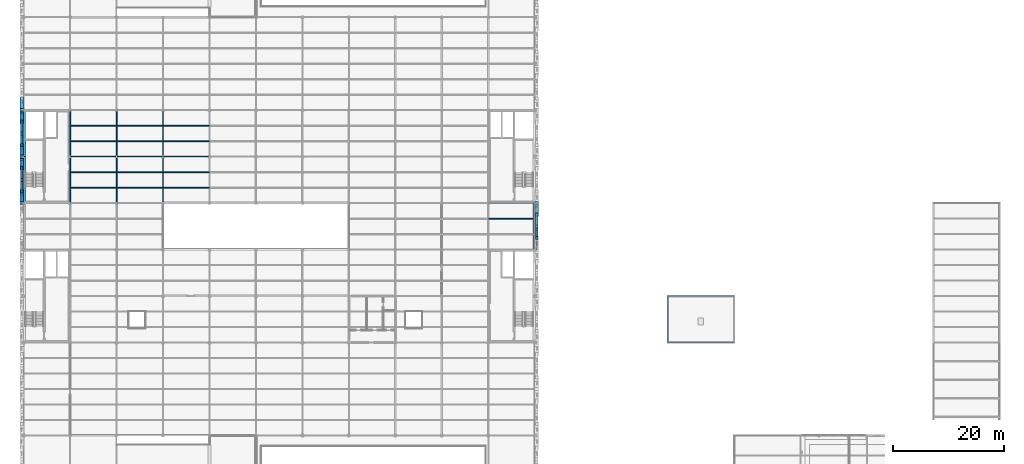
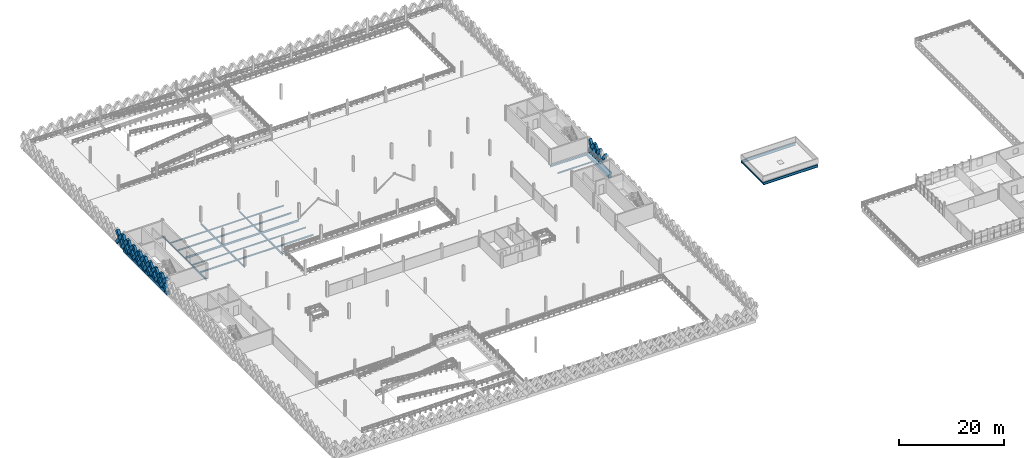
# One storey, part 22 of 62: 38 members, 29 beams.
"""IFC4 building model written with IfcOpenShell, lengths in metres."""

from ifc_helpers import new_model, si_unit, direction, frame, origin, origin_2d, place, context, subcontext, project, spatial, rectangle, hollow_rectangle, i_section, extrude, material, material_profile, profile_set, type_object, element, save


model = new_model("IFC4")

# Units and contexts
model_context = context("Model", 3, precision=1e-05, world=origin(), true_north=direction((0.0, 1.0)))
body_context = subcontext(model_context, "Body", "Model", "MODEL_VIEW")
ifc_project = project(units=[si_unit("LENGTHUNIT", "METRE"), si_unit("AREAUNIT", "SQUARE_METRE"), si_unit("VOLUMEUNIT", "CUBIC_METRE"), si_unit("PLANEANGLEUNIT", "RADIAN"), si_unit("MASSUNIT", "GRAM", prefix="KILO"), si_unit("THERMODYNAMICTEMPERATUREUNIT", "KELVIN"), si_unit("POWERUNIT", "WATT")], contexts=[model_context])

# Site, building, storey
site_placement = place(None, origin())
site = spatial("IfcSite", under=ifc_project, at=site_placement, CompositionType="ELEMENT")
building_placement = place(site_placement, origin())
building = spatial("IfcBuilding", under=site, at=building_placement, Name="Tembeka Court Mobility Hub", CompositionType="ELEMENT")
storey_placement = place(building_placement, frame((0.0, 0.0, 16.199951171875)))
storey = spatial("IfcBuildingStorey", under=building, at=storey_placement, Name="L04", CompositionType="ELEMENT", Elevation=16.199951171875)

# Beams
ifc_material_1 = material(Name="Steel S355", Category="steel")
ifc_material_profile_1 = material_profile(ifc_material_1, i_section(OverallWidth=0.18994140625, OverallDepth=0.45703125, WebThickness=0.009033203125, FlangeThickness=0.014404296875, FilletRadius=0.01025390625, at=origin_2d()), Name="UKB 457x191x74")
ifc_profile_set_1 = profile_set([ifc_material_profile_1], Name="Steel S355")
beam_type_1 = type_object("IfcBeamType", Name="BM-B01", PredefinedType="BEAM", material=ifc_profile_set_1)
beam_1_placement = place(storey_placement, frame((84.0, 63.60009765625, -0.448486328125), z_axis=(1.0, 0.0, 0.0), x_axis=(0.0, 1.0, 0.0)))
element("IfcBeam", 1, at=beam_1_placement, inside=storey, type_object=beam_type_1, Name="Beam B01 (BM-L04-X2267)", PredefinedType="BEAM", context=body_context, shape_type="SweptSolid", body=[
    extrude(i_section(OverallWidth=0.18994140625, OverallDepth=0.45703125, WebThickness=0.009033203125, FlangeThickness=0.014404296875, FilletRadius=0.01025390625, at=origin_2d()), origin(), (0.0, 0.0, 1.0), 8.39990234375),
])
beam_2_placement = place(storey_placement, frame((8.39990234375, 72.0, -0.448486328125), z_axis=(1.0, 0.0, 0.0), x_axis=(0.0, 1.0, 0.0)))
element("IfcBeam", 2, at=beam_2_placement, inside=storey, type_object=beam_type_1, Name="Beam B01 (BM-L04-X2269)", PredefinedType="BEAM", context=body_context, shape_type="SweptSolid", body=[
    extrude(i_section(OverallWidth=0.18994140625, OverallDepth=0.45703125, WebThickness=0.009033203125, FlangeThickness=0.014404296875, FilletRadius=0.01025390625, at=origin_2d()), origin(), (0.0, 0.0, 1.0), 8.400146484375),
])
beam_3_placement = place(storey_placement, frame((16.800048828125, 72.0, -0.448486328125), z_axis=(1.0, 0.0, 0.0), x_axis=(0.0, 1.0, 0.0)))
element("IfcBeam", 3, at=beam_3_placement, inside=storey, type_object=beam_type_1, Name="Beam B01 (BM-L04-X2270)", PredefinedType="BEAM", context=body_context, shape_type="SweptSolid", body=[
    extrude(i_section(OverallWidth=0.18994140625, OverallDepth=0.45703125, WebThickness=0.009033203125, FlangeThickness=0.014404296875, FilletRadius=0.01025390625, at=origin_2d()), origin(), (0.0, 0.0, 1.0), 8.39990234375),
])
beam_4_placement = place(storey_placement, frame((25.199951171875, 72.0, -0.448486328125), z_axis=(1.0, 0.0, 0.0), x_axis=(0.0, 1.0, 0.0)))
element("IfcBeam", 4, at=beam_4_placement, inside=storey, type_object=beam_type_1, Name="Beam B01 (BM-L04-X2271)", PredefinedType="BEAM", context=body_context, shape_type="SweptSolid", body=[
    extrude(i_section(OverallWidth=0.18994140625, OverallDepth=0.45703125, WebThickness=0.009033203125, FlangeThickness=0.014404296875, FilletRadius=0.01025390625, at=origin_2d()), origin(), (0.0, 0.0, 1.0), 8.400146484375),
])
ifc_material_profile_2 = material_profile(ifc_material_1, i_section(OverallWidth=0.177978515625, OverallDepth=0.406005859375, WebThickness=0.0078125, FlangeThickness=0.0126953125, FilletRadius=0.01025390625, at=origin_2d()), Name="UKB 406x178x60")
ifc_profile_set_2 = profile_set([ifc_material_profile_2], Name="Steel S355")
beam_type_2 = type_object("IfcBeamType", Name="BM-B02", PredefinedType="BEAM", material=ifc_profile_set_2)
for number, where, z_axis, x_axis, name in (
    (5, (8.39990234375, 63.60009765625, -0.4228515625), (0.0, 1.0, 0.0), (-1.0, 0.0, 0.0), "Beam B02 (BM-L04-Y2330)"),
    (6, (8.39990234375, 72.0, -0.4228515625), (0.0, 1.0, 0.0), (-1.0, 0.0, 0.0), "Beam B02 (BM-L04-Y2331)"),
    (7, (16.800048828125, 63.60009765625, -0.4228515625), (0.0, 1.0, 0.0), (-1.0, 0.0, 0.0), "Beam B02 (BM-L04-Y2341)"),
    (8, (16.800048828125, 72.0, -0.4228515625), (0.0, 1.0, 0.0), (-1.0, 0.0, 0.0), "Beam B02 (BM-L04-Y2342)"),
    (9, (25.199951171875, 63.60009765625, -0.4228515625), (0.0, 1.0, 0.0), (-1.0, 0.0, 0.0), "Beam B02 (BM-L04-Y2350)"),
    (10, (25.199951171875, 72.0, -0.4228515625), (0.0, 1.0, 0.0), (-1.0, 0.0, 0.0), "Beam B02 (BM-L04-Y2351)"),
):
    element("IfcBeam", number, at=place(storey_placement, frame(where, z_axis=z_axis, x_axis=x_axis)), inside=storey, type_object=beam_type_2, Name=name, PredefinedType="BEAM", context=body_context, shape_type="SweptSolid", body=[
        extrude(i_section(OverallWidth=0.177978515625, OverallDepth=0.406005859375, WebThickness=0.0078125, FlangeThickness=0.0126953125, FilletRadius=0.01025390625, at=origin_2d()), origin(), (0.0, 0.0, 1.0), 8.39990234375),
    ])
beam_5_placement = place(storey_placement, frame((116.39990234375, 38.39990234375, -0.432861328125), z_axis=(0.0, 1.0, 0.0), x_axis=(-1.0, 0.0, 0.0)))
element("IfcBeam", 11, at=beam_5_placement, inside=storey, type_object=beam_type_2, Name="Beam B02 (BM-L04-Y2418)", PredefinedType="BEAM", context=body_context, shape_type="SweptSolid", body=[
    extrude(i_section(OverallWidth=0.177978515625, OverallDepth=0.406005859375, WebThickness=0.0078125, FlangeThickness=0.0126953125, FilletRadius=0.01025390625, at=origin_2d()), origin(), (0.0, 0.0, 1.0), 8.400146484375),
])
ifc_material_profile_3 = material_profile(ifc_material_1, i_section(OverallWidth=0.22900390625, OverallDepth=0.612060546875, WebThickness=0.011962890625, FlangeThickness=0.01953125, FilletRadius=0.0126953125, at=origin_2d()), Name="UKB 610x229x125")
ifc_profile_set_3 = profile_set([ifc_material_profile_3], Name="Steel S355")
beam_type_3 = type_object("IfcBeamType", Name="BM-G02", PredefinedType="USERDEFINED", material=ifc_profile_set_3)
for number, where, z_axis, x_axis, name in (
    (12, (116.39990234375, 38.39990234375, -0.535888671875), (1.0, 0.0, 0.0), (0.0, 1.0, 0.0), "Beam G02 (BM-L04-X2232)"),
    (13, (116.39990234375, 46.800048828125, -0.535888671875), (1.0, 0.0, 0.0), (0.0, 1.0, 0.0), "Beam G02 (BM-L04-X2243)"),
):
    element("IfcBeam", number, at=place(storey_placement, frame(where, z_axis=z_axis, x_axis=x_axis)), inside=storey, type_object=beam_type_3, Name=name, ObjectType="GIRDER", PredefinedType="USERDEFINED", context=body_context, shape_type="SweptSolid", body=[
        extrude(i_section(OverallWidth=0.22900390625, OverallDepth=0.612060546875, WebThickness=0.011962890625, FlangeThickness=0.01953125, FilletRadius=0.0126953125, at=origin_2d()), origin(), (0.0, 0.0, 1.0), 12.0),
    ])
ifc_material_profile_4 = material_profile(ifc_material_1, i_section(OverallWidth=0.1650390625, OverallDepth=0.303955078125, WebThickness=0.006103515625, FlangeThickness=0.01025390625, FilletRadius=0.0087890625, at=origin_2d()), Name="UKB 305x165x40")
ifc_profile_set_4 = profile_set([ifc_material_profile_4], Name="Steel S355")
beam_type_4 = type_object("IfcBeamType", Name="BM-J02", PredefinedType="JOIST", material=ifc_profile_set_4)
for number, where, z_axis, x_axis, name in (
    (14, (8.48388671875, 69.199951171875, -0.3720703125), (1.0, 0.0, 0.0), (0.0, 1.0, 0.0), "Beam J02 (JST-L04-2462)"),
    (15, (8.48388671875, 77.60009765625, -0.3720703125), (1.0, 0.0, 0.0), (0.0, 1.0, 0.0), "Beam J02 (JST-L04-2464)"),
):
    element("IfcBeam", number, at=place(storey_placement, frame(where, z_axis=z_axis, x_axis=x_axis)), inside=storey, type_object=beam_type_4, Name=name, PredefinedType="JOIST", context=body_context, shape_type="SweptSolid", body=[
        extrude(i_section(OverallWidth=0.1650390625, OverallDepth=0.303955078125, WebThickness=0.006103515625, FlangeThickness=0.01025390625, FilletRadius=0.0087890625, at=origin_2d()), origin(), (0.0, 0.0, 1.0), 8.232177734375),
    ])
for number, where, z_axis, x_axis, name in (
    (16, (16.884033203125, 69.199951171875, -0.3720703125), (1.0, 0.0, 0.0), (0.0, 1.0, 0.0), "Beam J02 (JST-L04-2482)"),
    (17, (16.884033203125, 77.60009765625, -0.3720703125), (1.0, 0.0, 0.0), (0.0, 1.0, 0.0), "Beam J02 (JST-L04-2484)"),
):
    element("IfcBeam", number, at=place(storey_placement, frame(where, z_axis=z_axis, x_axis=x_axis)), inside=storey, type_object=beam_type_4, Name=name, PredefinedType="JOIST", context=body_context, shape_type="SweptSolid", body=[
        extrude(i_section(OverallWidth=0.1650390625, OverallDepth=0.303955078125, WebThickness=0.006103515625, FlangeThickness=0.01025390625, FilletRadius=0.0087890625, at=origin_2d()), origin(), (0.0, 0.0, 1.0), 8.23193359375),
    ])
for number, where, z_axis, x_axis, name in (
    (18, (25.283935546875, 69.199951171875, -0.3720703125), (1.0, 0.0, 0.0), (0.0, 1.0, 0.0), "Beam J02 (JST-L04-2500)"),
    (19, (25.283935546875, 77.60009765625, -0.3720703125), (1.0, 0.0, 0.0), (0.0, 1.0, 0.0), "Beam J02 (JST-L04-2502)"),
):
    element("IfcBeam", number, at=place(storey_placement, frame(where, z_axis=z_axis, x_axis=x_axis)), inside=storey, type_object=beam_type_4, Name=name, PredefinedType="JOIST", context=body_context, shape_type="SweptSolid", body=[
        extrude(i_section(OverallWidth=0.1650390625, OverallDepth=0.303955078125, WebThickness=0.006103515625, FlangeThickness=0.01025390625, FilletRadius=0.0087890625, at=origin_2d()), origin(), (0.0, 0.0, 1.0), 8.232177734375),
    ])
beam_6_placement = place(storey_placement, frame((84.083984375, 60.800048828125, -0.3720703125), z_axis=(1.0, 0.0, 0.0), x_axis=(0.0, 1.0, 0.0)))
element("IfcBeam", 20, at=beam_6_placement, inside=storey, type_object=beam_type_4, Name="Beam J02 (JST-L04-2628)", PredefinedType="JOIST", context=body_context, shape_type="SweptSolid", body=[
    extrude(i_section(OverallWidth=0.1650390625, OverallDepth=0.303955078125, WebThickness=0.006103515625, FlangeThickness=0.01025390625, FilletRadius=0.0087890625, at=origin_2d()), origin(), (0.0, 0.0, 1.0), 7.99609375),
])
ifc_material_profile_5 = material_profile(ifc_material_1, i_section(OverallWidth=0.169921875, OverallDepth=0.360107421875, WebThickness=0.008056640625, FlangeThickness=0.0126953125, FilletRadius=0.01806640625, at=origin_2d()), Name="IPE 360")
ifc_profile_set_5 = profile_set([ifc_material_profile_5], Name="Steel S355")
beam_type_5 = type_object("IfcBeamType", Name="BM-J03", PredefinedType="JOIST", material=ifc_profile_set_5)
for number, where, z_axis, x_axis, name in (
    (21, (8.48388671875, 66.39990234375, -0.39990234375), (1.0, 0.0, 0.0), (0.0, 1.0, 0.0), "Beam J03 (JST-L04-2461)"),
    (22, (8.48388671875, 74.800048828125, -0.39990234375), (1.0, 0.0, 0.0), (0.0, 1.0, 0.0), "Beam J03 (JST-L04-2463)"),
):
    element("IfcBeam", number, at=place(storey_placement, frame(where, z_axis=z_axis, x_axis=x_axis)), inside=storey, type_object=beam_type_5, Name=name, PredefinedType="JOIST", context=body_context, shape_type="SweptSolid", body=[
        extrude(i_section(OverallWidth=0.169921875, OverallDepth=0.360107421875, WebThickness=0.008056640625, FlangeThickness=0.0126953125, FilletRadius=0.01806640625, at=origin_2d()), origin(), (0.0, 0.0, 1.0), 8.232177734375),
    ])
for number, where, z_axis, x_axis, name in (
    (23, (16.884033203125, 66.39990234375, -0.39990234375), (1.0, 0.0, 0.0), (0.0, 1.0, 0.0), "Beam J03 (JST-L04-2481)"),
    (24, (16.884033203125, 74.800048828125, -0.39990234375), (1.0, 0.0, 0.0), (0.0, 1.0, 0.0), "Beam J03 (JST-L04-2483)"),
):
    element("IfcBeam", number, at=place(storey_placement, frame(where, z_axis=z_axis, x_axis=x_axis)), inside=storey, type_object=beam_type_5, Name=name, PredefinedType="JOIST", context=body_context, shape_type="SweptSolid", body=[
        extrude(i_section(OverallWidth=0.169921875, OverallDepth=0.360107421875, WebThickness=0.008056640625, FlangeThickness=0.0126953125, FilletRadius=0.01806640625, at=origin_2d()), origin(), (0.0, 0.0, 1.0), 8.23193359375),
    ])
for number, where, z_axis, x_axis, name in (
    (25, (25.283935546875, 66.39990234375, -0.39990234375), (1.0, 0.0, 0.0), (0.0, 1.0, 0.0), "Beam J03 (JST-L04-2499)"),
    (26, (25.283935546875, 74.800048828125, -0.39990234375), (1.0, 0.0, 0.0), (0.0, 1.0, 0.0), "Beam J03 (JST-L04-2501)"),
):
    element("IfcBeam", number, at=place(storey_placement, frame(where, z_axis=z_axis, x_axis=x_axis)), inside=storey, type_object=beam_type_5, Name=name, PredefinedType="JOIST", context=body_context, shape_type="SweptSolid", body=[
        extrude(i_section(OverallWidth=0.169921875, OverallDepth=0.360107421875, WebThickness=0.008056640625, FlangeThickness=0.0126953125, FilletRadius=0.01806640625, at=origin_2d()), origin(), (0.0, 0.0, 1.0), 8.232177734375),
    ])
ifc_material_2 = material(Name="Precast concrete C45/55", Category="concrete")
ifc_material_profile_6 = material_profile(ifc_material_2, rectangle(XDim=0.64990234375, YDim=0.800048828125, at=origin_2d()), Name="PC-SP 650x800")
ifc_profile_set_6 = profile_set([ifc_material_profile_6], Name="Precast concrete C45/55")
beam_type_6 = type_object("IfcBeamType", Name="BM-SP01", PredefinedType="SPANDREL", material=ifc_profile_set_6)
for number, where, z_axis, x_axis, name in (
    (27, (0.0, 63.60009765625, -0.619873046875), (0.0, 1.0, 0.0), (-1.0, 0.0, 0.0), "Beam SP01 (BM-L04-Y2319)"),
    (28, (0.0, 72.0, -0.619873046875), (0.0, 1.0, 0.0), (-1.0, 0.0, 0.0), "Beam SP01 (BM-L04-Y2320)"),
):
    element("IfcBeam", number, at=place(storey_placement, frame(where, z_axis=z_axis, x_axis=x_axis)), inside=storey, type_object=beam_type_6, Name=name, PredefinedType="SPANDREL", context=body_context, shape_type="SweptSolid", body=[
        extrude(rectangle(XDim=0.64990234375, YDim=0.800048828125, at=origin_2d()), origin(), (0.0, 0.0, 1.0), 8.39990234375),
    ])
beam_7_placement = place(storey_placement, frame((92.39990234375, 55.199951171875, -0.619873046875), z_axis=(0.0, 1.0, 0.0), x_axis=(-1.0, 0.0, 0.0)))
element("IfcBeam", 29, at=beam_7_placement, inside=storey, type_object=beam_type_6, Name="Beam SP01 (BM-L04-Y2412)", PredefinedType="SPANDREL", context=body_context, shape_type="SweptSolid", body=[
    extrude(rectangle(XDim=0.64990234375, YDim=0.800048828125, at=origin_2d()), origin(), (0.0, 0.0, 1.0), 8.400146484375),
])

# Members
ifc_material_profile_7 = material_profile(ifc_material_2, rectangle(XDim=0.5, YDim=0.64990234375, at=origin_2d()), Name="PC-DIAG 500x650")
ifc_profile_set_7 = profile_set([ifc_material_profile_7], Name="Precast concrete C45/55")
member_type_1 = type_object("IfcMemberType", Name="MEM-DL01", PredefinedType="BRACE", material=ifc_profile_set_7)
member_1_placement = place(storey_placement, frame((-0.340087890625, 65.699951171875, 0.02001953125), z_axis=(0.0, 0.582576362011, 0.812775973086), x_axis=(-1.0, 0.0, 0.0)))
element("IfcMember", 30, at=member_1_placement, inside=storey, type_object=member_type_1, Name="Precast diamond lattice continuous strand DL01 (L04-708C)", PredefinedType="BRACE", context=body_context, shape_type="SweptSolid", body=[
    extrude(rectangle(XDim=0.5, YDim=0.64990234375, at=origin_2d()), origin(), (0.0, 0.0, 1.0), 3.604736328125),
])
member_2_placement = place(storey_placement, frame((-0.340087890625, 67.800048828125, 0.02001953125), z_axis=(0.0, -0.582544294934, 0.812798956963), x_axis=(1.0, 0.0, 0.0)))
element("IfcMember", 31, at=member_2_placement, inside=storey, type_object=member_type_1, Name="Precast diamond lattice split lower strand DL01 (L04-708D1)", PredefinedType="BRACE", context=body_context, shape_type="SweptSolid", body=[
    extrude(rectangle(XDim=0.5, YDim=0.64990234375, at=origin_2d()), origin(), (0.0, 0.0, 1.0), 1.802490234375),
])
member_3_placement = place(storey_placement, frame((-0.340087890625, 66.75, 1.485107421875), z_axis=(0.0, -0.582608431711, 0.812752985414), x_axis=(1.0, 0.0, 0.0)))
element("IfcMember", 32, at=member_3_placement, inside=storey, type_object=member_type_1, Name="Precast diamond lattice split upper strand DL01 (L04-708D2)", PredefinedType="BRACE", context=body_context, shape_type="SweptSolid", body=[
    extrude(rectangle(XDim=0.5, YDim=0.64990234375, at=origin_2d()), origin(), (0.0, 0.0, 1.0), 1.80224609375),
])
member_4_placement = place(storey_placement, frame((-0.340087890625, 67.800048828125, 0.02001953125), z_axis=(0.0, 0.58253161945, 0.812808041509), x_axis=(-1.0, 0.0, 0.0)))
element("IfcMember", 33, at=member_4_placement, inside=storey, type_object=member_type_1, Name="Precast diamond lattice continuous strand DL01 (L04-709C)", PredefinedType="BRACE", context=body_context, shape_type="SweptSolid", body=[
    extrude(rectangle(XDim=0.5, YDim=0.64990234375, at=origin_2d()), origin(), (0.0, 0.0, 1.0), 3.604736328125),
])
member_5_placement = place(storey_placement, frame((-0.340087890625, 69.89990234375, 0.02001953125), z_axis=(0.0, -0.582454804382, 0.812863088627), x_axis=(1.0, 0.0, 0.0)))
element("IfcMember", 34, at=member_5_placement, inside=storey, type_object=member_type_1, Name="Precast diamond lattice split lower strand DL01 (L04-709D1)", PredefinedType="BRACE", context=body_context, shape_type="SweptSolid", body=[
    extrude(rectangle(XDim=0.5, YDim=0.64990234375, at=origin_2d()), origin(), (0.0, 0.0, 1.0), 1.802490234375),
])
member_6_placement = place(storey_placement, frame((-0.340087890625, 68.85009765625, 1.485107421875), z_axis=(0.0, -0.582608431711, 0.812752985414), x_axis=(1.0, 0.0, 0.0)))
element("IfcMember", 35, at=member_6_placement, inside=storey, type_object=member_type_1, Name="Precast diamond lattice split upper strand DL01 (L04-709D2)", PredefinedType="BRACE", context=body_context, shape_type="SweptSolid", body=[
    extrude(rectangle(XDim=0.5, YDim=0.64990234375, at=origin_2d()), origin(), (0.0, 0.0, 1.0), 1.80224609375),
])
member_7_placement = place(storey_placement, frame((-0.340087890625, 74.10009765625, 0.02001953125), z_axis=(0.0, 0.58253161945, 0.812808041509), x_axis=(-1.0, 0.0, 0.0)))
element("IfcMember", 36, at=member_7_placement, inside=storey, type_object=member_type_1, Name="Precast diamond lattice continuous strand DL01 (L04-712C)", PredefinedType="BRACE", context=body_context, shape_type="SweptSolid", body=[
    extrude(rectangle(XDim=0.5, YDim=0.64990234375, at=origin_2d()), origin(), (0.0, 0.0, 1.0), 3.604736328125),
])
member_8_placement = place(storey_placement, frame((-0.340087890625, 76.199951171875, 0.02001953125), z_axis=(0.0, -0.582544294934, 0.812798956963), x_axis=(1.0, 0.0, 0.0)))
element("IfcMember", 37, at=member_8_placement, inside=storey, type_object=member_type_1, Name="Precast diamond lattice split lower strand DL01 (L04-712D1)", PredefinedType="BRACE", context=body_context, shape_type="SweptSolid", body=[
    extrude(rectangle(XDim=0.5, YDim=0.64990234375, at=origin_2d()), origin(), (0.0, 0.0, 1.0), 1.802490234375),
])
member_9_placement = place(storey_placement, frame((-0.340087890625, 75.14990234375, 1.485107421875), z_axis=(0.0, -0.582518941428, 0.812817127574), x_axis=(1.0, 0.0, 0.0)))
element("IfcMember", 38, at=member_9_placement, inside=storey, type_object=member_type_1, Name="Precast diamond lattice split upper strand DL01 (L04-712D2)", PredefinedType="BRACE", context=body_context, shape_type="SweptSolid", body=[
    extrude(rectangle(XDim=0.5, YDim=0.64990234375, at=origin_2d()), origin(), (0.0, 0.0, 1.0), 1.80224609375),
])
member_10_placement = place(storey_placement, frame((-0.340087890625, 76.199951171875, 0.02001953125), z_axis=(0.0, 0.582576362011, 0.812775973086), x_axis=(-1.0, 0.0, 0.0)))
element("IfcMember", 39, at=member_10_placement, inside=storey, type_object=member_type_1, Name="Precast diamond lattice continuous strand DL01 (L04-713C)", PredefinedType="BRACE", context=body_context, shape_type="SweptSolid", body=[
    extrude(rectangle(XDim=0.5, YDim=0.64990234375, at=origin_2d()), origin(), (0.0, 0.0, 1.0), 3.604736328125),
])
member_11_placement = place(storey_placement, frame((-0.340087890625, 78.300048828125, 0.02001953125), z_axis=(0.0, -0.582544294934, 0.812798956963), x_axis=(1.0, 0.0, 0.0)))
element("IfcMember", 40, at=member_11_placement, inside=storey, type_object=member_type_1, Name="Precast diamond lattice split lower strand DL01 (L04-713D1)", PredefinedType="BRACE", context=body_context, shape_type="SweptSolid", body=[
    extrude(rectangle(XDim=0.5, YDim=0.64990234375, at=origin_2d()), origin(), (0.0, 0.0, 1.0), 1.802490234375),
])
member_12_placement = place(storey_placement, frame((-0.340087890625, 77.25, 1.485107421875), z_axis=(0.0, -0.582608431711, 0.812752985414), x_axis=(1.0, 0.0, 0.0)))
element("IfcMember", 41, at=member_12_placement, inside=storey, type_object=member_type_1, Name="Precast diamond lattice split upper strand DL01 (L04-713D2)", PredefinedType="BRACE", context=body_context, shape_type="SweptSolid", body=[
    extrude(rectangle(XDim=0.5, YDim=0.64990234375, at=origin_2d()), origin(), (0.0, 0.0, 1.0), 1.80224609375),
])
member_13_placement = place(storey_placement, frame((92.739990234375, 59.39990234375, 0.02001953125), z_axis=(0.0, -0.582454804382, 0.812863088627), x_axis=(1.0, 0.0, 0.0)))
element("IfcMember", 42, at=member_13_placement, inside=storey, type_object=member_type_1, Name="Precast diamond lattice split lower strand DL01 (L04-760D1)", PredefinedType="BRACE", context=body_context, shape_type="SweptSolid", body=[
    extrude(rectangle(XDim=0.5, YDim=0.64990234375, at=origin_2d()), origin(), (0.0, 0.0, 1.0), 1.802490234375),
])
member_14_placement = place(storey_placement, frame((92.739990234375, 58.35009765625, 1.485107421875), z_axis=(0.0, -0.582608431711, 0.812752985414), x_axis=(1.0, 0.0, 0.0)))
element("IfcMember", 43, at=member_14_placement, inside=storey, type_object=member_type_1, Name="Precast diamond lattice split upper strand DL01 (L04-760D2)", PredefinedType="BRACE", context=body_context, shape_type="SweptSolid", body=[
    extrude(rectangle(XDim=0.5, YDim=0.64990234375, at=origin_2d()), origin(), (0.0, 0.0, 1.0), 1.80224609375),
])
member_15_placement = place(storey_placement, frame((92.739990234375, 59.39990234375, 0.02001953125), z_axis=(0.0, 0.582576362011, 0.812775973086), x_axis=(-1.0, 0.0, 0.0)))
element("IfcMember", 44, at=member_15_placement, inside=storey, type_object=member_type_1, Name="Precast diamond lattice continuous strand DL01 (L04-761C)", PredefinedType="BRACE", context=body_context, shape_type="SweptSolid", body=[
    extrude(rectangle(XDim=0.5, YDim=0.64990234375, at=origin_2d()), origin(), (0.0, 0.0, 1.0), 3.604736328125),
])
member_16_placement = place(storey_placement, frame((92.739990234375, 61.5, 0.02001953125), z_axis=(0.0, -0.582544294934, 0.812798956963), x_axis=(1.0, 0.0, 0.0)))
element("IfcMember", 45, at=member_16_placement, inside=storey, type_object=member_type_1, Name="Precast diamond lattice split lower strand DL01 (L04-761D1)", PredefinedType="BRACE", context=body_context, shape_type="SweptSolid", body=[
    extrude(rectangle(XDim=0.5, YDim=0.64990234375, at=origin_2d()), origin(), (0.0, 0.0, 1.0), 1.802490234375),
])
member_17_placement = place(storey_placement, frame((92.739990234375, 60.449951171875, 1.485107421875), z_axis=(0.0, -0.582608431711, 0.812752985414), x_axis=(1.0, 0.0, 0.0)))
element("IfcMember", 46, at=member_17_placement, inside=storey, type_object=member_type_1, Name="Precast diamond lattice split upper strand DL01 (L04-761D2)", PredefinedType="BRACE", context=body_context, shape_type="SweptSolid", body=[
    extrude(rectangle(XDim=0.5, YDim=0.64990234375, at=origin_2d()), origin(), (0.0, 0.0, 1.0), 1.80224609375),
])
ifc_material_profile_8 = material_profile(ifc_material_2, rectangle(XDim=0.60009765625, YDim=0.75, at=origin_2d()), Name="PC-DIAG 600x750")
ifc_profile_set_8 = profile_set([ifc_material_profile_8], Name="Precast concrete C45/55")
member_type_2 = type_object("IfcMemberType", Name="MEM-DL02", PredefinedType="BRACE", material=ifc_profile_set_8)
member_18_placement = place(storey_placement, frame((-0.340087890625, 63.60009765625, 0.02001953125), z_axis=(0.0, 0.58253161945, 0.812808041509), x_axis=(-1.0, 0.0, 0.0)))
element("IfcMember", 47, at=member_18_placement, inside=storey, type_object=member_type_2, Name="Precast diamond lattice continuous strand DL02 (L04-707C)", PredefinedType="BRACE", context=body_context, shape_type="SweptSolid", body=[
    extrude(rectangle(XDim=0.60009765625, YDim=0.75, at=origin_2d()), origin(), (0.0, 0.0, 1.0), 3.604736328125),
])
member_19_placement = place(storey_placement, frame((-0.340087890625, 65.699951171875, 0.02001953125), z_axis=(0.0, -0.582544294934, 0.812798956963), x_axis=(1.0, 0.0, 0.0)))
element("IfcMember", 48, at=member_19_placement, inside=storey, type_object=member_type_2, Name="Precast diamond lattice split lower strand DL02 (L04-707D1)", PredefinedType="BRACE", context=body_context, shape_type="SweptSolid", body=[
    extrude(rectangle(XDim=0.60009765625, YDim=0.75, at=origin_2d()), origin(), (0.0, 0.0, 1.0), 1.802490234375),
])
member_20_placement = place(storey_placement, frame((-0.340087890625, 64.64990234375, 1.485107421875), z_axis=(0.0, -0.582518941428, 0.812817127574), x_axis=(1.0, 0.0, 0.0)))
element("IfcMember", 49, at=member_20_placement, inside=storey, type_object=member_type_2, Name="Precast diamond lattice split upper strand DL02 (L04-707D2)", PredefinedType="BRACE", context=body_context, shape_type="SweptSolid", body=[
    extrude(rectangle(XDim=0.60009765625, YDim=0.75, at=origin_2d()), origin(), (0.0, 0.0, 1.0), 1.80224609375),
])
member_21_placement = place(storey_placement, frame((-0.340087890625, 69.89990234375, 0.02001953125), z_axis=(0.0, 0.582576362011, 0.812775973086), x_axis=(-1.0, 0.0, 0.0)))
element("IfcMember", 50, at=member_21_placement, inside=storey, type_object=member_type_2, Name="Precast diamond lattice continuous strand DL02 (L04-710C)", PredefinedType="BRACE", context=body_context, shape_type="SweptSolid", body=[
    extrude(rectangle(XDim=0.60009765625, YDim=0.75, at=origin_2d()), origin(), (0.0, 0.0, 1.0), 3.604736328125),
])
member_22_placement = place(storey_placement, frame((-0.340087890625, 72.0, 0.02001953125), z_axis=(0.0, -0.582544294934, 0.812798956963), x_axis=(1.0, 0.0, 0.0)))
element("IfcMember", 51, at=member_22_placement, inside=storey, type_object=member_type_2, Name="Precast diamond lattice split lower strand DL02 (L04-710D1)", PredefinedType="BRACE", context=body_context, shape_type="SweptSolid", body=[
    extrude(rectangle(XDim=0.60009765625, YDim=0.75, at=origin_2d()), origin(), (0.0, 0.0, 1.0), 1.802490234375),
])
member_23_placement = place(storey_placement, frame((-0.340087890625, 70.949951171875, 1.485107421875), z_axis=(0.0, -0.582608431711, 0.812752985414), x_axis=(1.0, 0.0, 0.0)))
element("IfcMember", 52, at=member_23_placement, inside=storey, type_object=member_type_2, Name="Precast diamond lattice split upper strand DL02 (L04-710D2)", PredefinedType="BRACE", context=body_context, shape_type="SweptSolid", body=[
    extrude(rectangle(XDim=0.60009765625, YDim=0.75, at=origin_2d()), origin(), (0.0, 0.0, 1.0), 1.80224609375),
])
member_24_placement = place(storey_placement, frame((-0.340087890625, 72.0, 0.02001953125), z_axis=(0.0, 0.582576362011, 0.812775973086), x_axis=(-1.0, 0.0, 0.0)))
element("IfcMember", 53, at=member_24_placement, inside=storey, type_object=member_type_2, Name="Precast diamond lattice continuous strand DL02 (L04-711C)", PredefinedType="BRACE", context=body_context, shape_type="SweptSolid", body=[
    extrude(rectangle(XDim=0.60009765625, YDim=0.75, at=origin_2d()), origin(), (0.0, 0.0, 1.0), 3.604736328125),
])
member_25_placement = place(storey_placement, frame((-0.340087890625, 74.10009765625, 0.02001953125), z_axis=(0.0, -0.582544294934, 0.812798956963), x_axis=(1.0, 0.0, 0.0)))
element("IfcMember", 54, at=member_25_placement, inside=storey, type_object=member_type_2, Name="Precast diamond lattice split lower strand DL02 (L04-711D1)", PredefinedType="BRACE", context=body_context, shape_type="SweptSolid", body=[
    extrude(rectangle(XDim=0.60009765625, YDim=0.75, at=origin_2d()), origin(), (0.0, 0.0, 1.0), 1.802490234375),
])
member_26_placement = place(storey_placement, frame((-0.340087890625, 73.050048828125, 1.485107421875), z_axis=(0.0, -0.582608431711, 0.812752985414), x_axis=(1.0, 0.0, 0.0)))
element("IfcMember", 55, at=member_26_placement, inside=storey, type_object=member_type_2, Name="Precast diamond lattice split upper strand DL02 (L04-711D2)", PredefinedType="BRACE", context=body_context, shape_type="SweptSolid", body=[
    extrude(rectangle(XDim=0.60009765625, YDim=0.75, at=origin_2d()), origin(), (0.0, 0.0, 1.0), 1.80224609375),
])
member_27_placement = place(storey_placement, frame((-0.340087890625, 78.300048828125, 0.02001953125), z_axis=(0.0, 0.58253161945, 0.812808041509), x_axis=(-1.0, 0.0, 0.0)))
element("IfcMember", 56, at=member_27_placement, inside=storey, type_object=member_type_2, Name="Precast diamond lattice continuous strand DL02 (L04-714C)", PredefinedType="BRACE", context=body_context, shape_type="SweptSolid", body=[
    extrude(rectangle(XDim=0.60009765625, YDim=0.75, at=origin_2d()), origin(), (0.0, 0.0, 1.0), 3.604736328125),
])
member_28_placement = place(storey_placement, frame((-0.340087890625, 80.39990234375, 0.02001953125), z_axis=(0.0, -0.582454804382, 0.812863088627), x_axis=(1.0, 0.0, 0.0)))
element("IfcMember", 57, at=member_28_placement, inside=storey, type_object=member_type_2, Name="Precast diamond lattice split lower strand DL02 (L04-714D1)", PredefinedType="BRACE", context=body_context, shape_type="SweptSolid", body=[
    extrude(rectangle(XDim=0.60009765625, YDim=0.75, at=origin_2d()), origin(), (0.0, 0.0, 1.0), 1.802490234375),
])
member_29_placement = place(storey_placement, frame((-0.340087890625, 79.35009765625, 1.485107421875), z_axis=(0.0, -0.582608431711, 0.812752985414), x_axis=(1.0, 0.0, 0.0)))
element("IfcMember", 58, at=member_29_placement, inside=storey, type_object=member_type_2, Name="Precast diamond lattice split upper strand DL02 (L04-714D2)", PredefinedType="BRACE", context=body_context, shape_type="SweptSolid", body=[
    extrude(rectangle(XDim=0.60009765625, YDim=0.75, at=origin_2d()), origin(), (0.0, 0.0, 1.0), 1.80224609375),
])
member_30_placement = place(storey_placement, frame((-0.340087890625, 80.39990234375, 0.02001953125), z_axis=(0.0, 0.582576362011, 0.812775973086), x_axis=(-1.0, 0.0, 0.0)))
element("IfcMember", 59, at=member_30_placement, inside=storey, type_object=member_type_2, Name="Precast diamond lattice continuous strand DL02 (L04-715C)", PredefinedType="BRACE", context=body_context, shape_type="SweptSolid", body=[
    extrude(rectangle(XDim=0.60009765625, YDim=0.75, at=origin_2d()), origin(), (0.0, 0.0, 1.0), 3.604736328125),
])
member_31_placement = place(storey_placement, frame((-0.340087890625, 82.5, 0.02001953125), z_axis=(0.0, -0.582544294934, 0.812798956963), x_axis=(1.0, 0.0, 0.0)))
element("IfcMember", 60, at=member_31_placement, inside=storey, type_object=member_type_2, Name="Precast diamond lattice split lower strand DL02 (L04-715D1)", PredefinedType="BRACE", context=body_context, shape_type="SweptSolid", body=[
    extrude(rectangle(XDim=0.60009765625, YDim=0.75, at=origin_2d()), origin(), (0.0, 0.0, 1.0), 1.802490234375),
])
member_32_placement = place(storey_placement, frame((-0.340087890625, 81.449951171875, 1.485107421875), z_axis=(0.0, -0.582608431711, 0.812752985414), x_axis=(1.0, 0.0, 0.0)))
element("IfcMember", 61, at=member_32_placement, inside=storey, type_object=member_type_2, Name="Precast diamond lattice split upper strand DL02 (L04-715D2)", PredefinedType="BRACE", context=body_context, shape_type="SweptSolid", body=[
    extrude(rectangle(XDim=0.60009765625, YDim=0.75, at=origin_2d()), origin(), (0.0, 0.0, 1.0), 1.80224609375),
])
member_33_placement = place(storey_placement, frame((92.739990234375, 61.5, 0.02001953125), z_axis=(0.0, 0.582576362011, 0.812775973086), x_axis=(-1.0, 0.0, 0.0)))
element("IfcMember", 62, at=member_33_placement, inside=storey, type_object=member_type_2, Name="Precast diamond lattice continuous strand DL02 (L04-762C)", PredefinedType="BRACE", context=body_context, shape_type="SweptSolid", body=[
    extrude(rectangle(XDim=0.60009765625, YDim=0.75, at=origin_2d()), origin(), (0.0, 0.0, 1.0), 3.604736328125),
])
member_34_placement = place(storey_placement, frame((92.739990234375, 63.60009765625, 0.02001953125), z_axis=(0.0, -0.582544294934, 0.812798956963), x_axis=(1.0, 0.0, 0.0)))
element("IfcMember", 63, at=member_34_placement, inside=storey, type_object=member_type_2, Name="Precast diamond lattice split lower strand DL02 (L04-762D1)", PredefinedType="BRACE", context=body_context, shape_type="SweptSolid", body=[
    extrude(rectangle(XDim=0.60009765625, YDim=0.75, at=origin_2d()), origin(), (0.0, 0.0, 1.0), 1.802490234375),
])
member_35_placement = place(storey_placement, frame((92.739990234375, 62.550048828125, 1.485107421875), z_axis=(0.0, -0.582608431711, 0.812752985414), x_axis=(1.0, 0.0, 0.0)))
element("IfcMember", 64, at=member_35_placement, inside=storey, type_object=member_type_2, Name="Precast diamond lattice split upper strand DL02 (L04-762D2)", PredefinedType="BRACE", context=body_context, shape_type="SweptSolid", body=[
    extrude(rectangle(XDim=0.60009765625, YDim=0.75, at=origin_2d()), origin(), (0.0, 0.0, 1.0), 1.80224609375),
])
ifc_material_profile_9 = material_profile(ifc_material_1, hollow_rectangle(XDim=0.14990234375, YDim=0.300048828125, WallThickness=0.010009765625, at=origin_2d()), Name="RHS 300x150x10")
ifc_profile_set_9 = profile_set([ifc_material_profile_9], Name="Steel S355")
member_type_3 = type_object("IfcMemberType", Name="MEM-ST03", PredefinedType="STRUT", material=ifc_profile_set_9)
member_36_placement = place(storey_placement, frame((92.739990234375, 55.199951171875, 0.02001953125), z_axis=(0.0, 1.0, 0.0), x_axis=(-1.0, 0.0, 0.0)))
element("IfcMember", 65, at=member_36_placement, inside=storey, type_object=member_type_3, Name="Proud lattice sill tie chord SR03 (L04-E-55)", PredefinedType="STRUT", context=body_context, shape_type="SweptSolid", body=[
    extrude(hollow_rectangle(XDim=0.14990234375, YDim=0.300048828125, WallThickness=0.010009765625, at=origin_2d()), origin(), (0.0, 0.0, 1.0), 8.400146484375),
])
for number, where, z_axis, x_axis, name in (
    (66, (-0.340087890625, 63.60009765625, 0.02001953125), (0.0, 1.0, 0.0), (-1.0, 0.0, 0.0), "Proud lattice sill tie chord SR03 (L04-W-63)"),
    (67, (-0.340087890625, 72.0, 0.02001953125), (0.0, 1.0, 0.0), (-1.0, 0.0, 0.0), "Proud lattice sill tie chord SR03 (L04-W-72)"),
):
    element("IfcMember", number, at=place(storey_placement, frame(where, z_axis=z_axis, x_axis=x_axis)), inside=storey, type_object=member_type_3, Name=name, PredefinedType="STRUT", context=body_context, shape_type="SweptSolid", body=[
        extrude(hollow_rectangle(XDim=0.14990234375, YDim=0.300048828125, WallThickness=0.010009765625, at=origin_2d()), origin(), (0.0, 0.0, 1.0), 8.39990234375),
    ])

save(model, "model.ifc")
